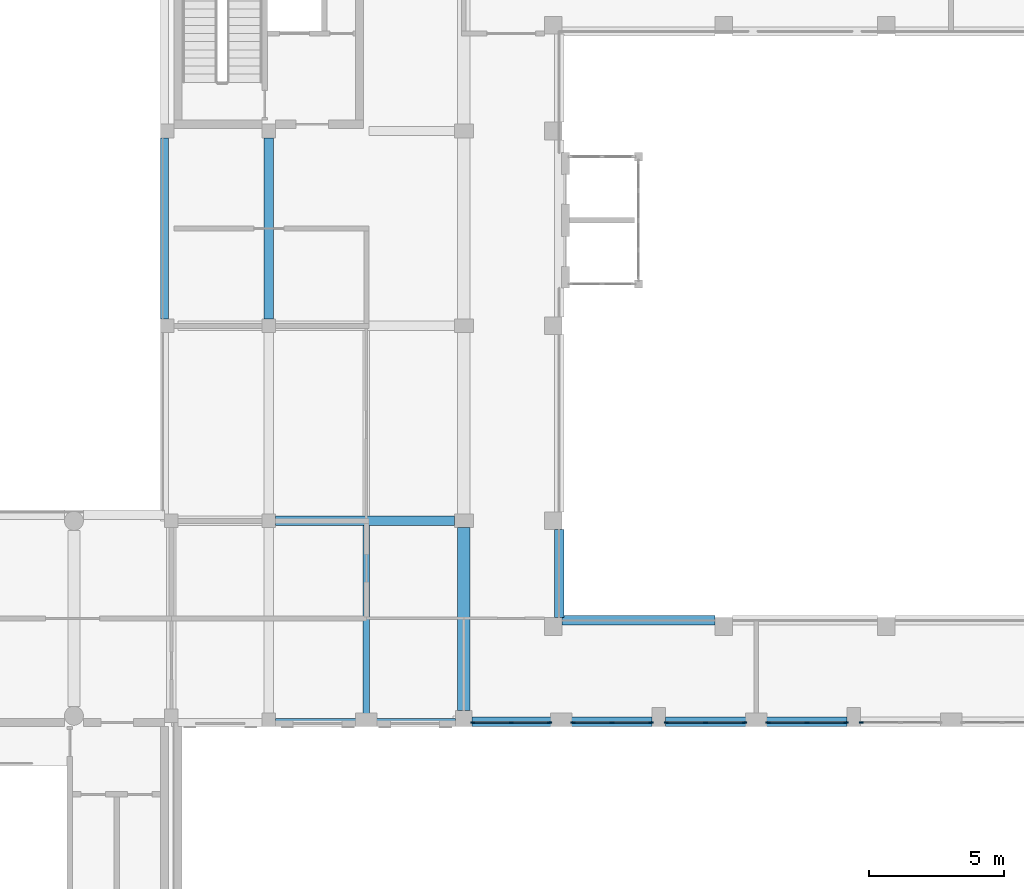
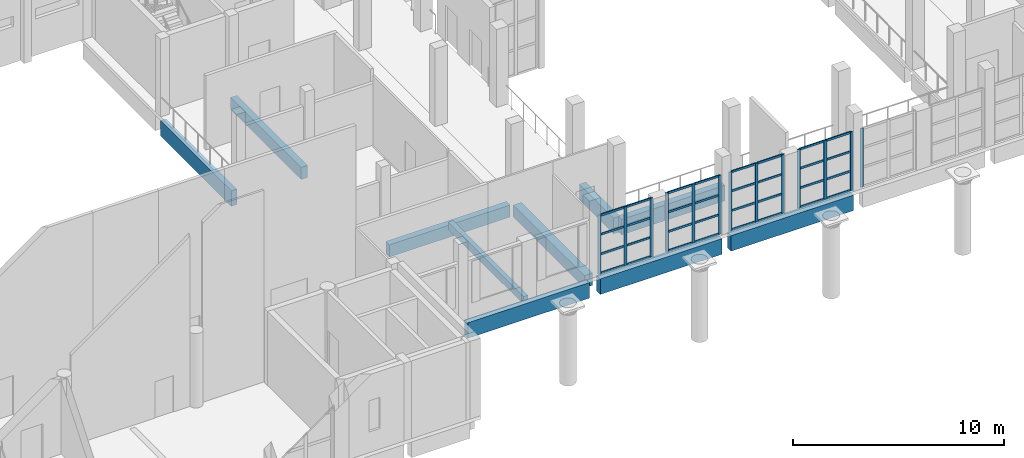
# One storey, part 4 of 59: 45 members, 10 beams, 5 elements without a shape of their own.
"""IFC4 building model written with IfcOpenShell, lengths in metres."""

from ifc_helpers import new_model, si_unit, direction, frame, origin, origin_2d, place, context, subcontext, project, spatial, rectangle, extrude, material, layer, layer_set, material_profile, profile_set, type_object, element, aggregate, save


model = new_model("IFC4")

# Units and contexts
model_context = context("Model", 3, precision=1e-05, world=origin(), true_north=direction((0.0, 1.0)))
body_context = subcontext(model_context, "Body", "Model", "MODEL_VIEW")
ifc_project = project(units=[si_unit("LENGTHUNIT", "METRE"), si_unit("AREAUNIT", "SQUARE_METRE"), si_unit("VOLUMEUNIT", "CUBIC_METRE"), si_unit("PLANEANGLEUNIT", "RADIAN"), si_unit("MASSUNIT", "GRAM", prefix="KILO")], contexts=[model_context])

# Site, building, storey
site_placement = place(None, origin())
site = spatial("IfcSite", under=ifc_project, at=site_placement, CompositionType="ELEMENT")
building_placement = place(site_placement, origin())
building = spatial("IfcBuilding", under=site, at=building_placement, Name="Ussher Court Research Institute", CompositionType="ELEMENT")
storey_placement = place(building_placement, frame((0.0, 0.0, 5.39990234375)))
storey = spatial("IfcBuildingStorey", under=building, at=storey_placement, Name="L01", CompositionType="ELEMENT", Elevation=5.39990234375)

# Curtain wall, member
ifc_material_1 = material(Name="Bronze anodised aluminium with low-e glass", Category="aluminium")
ifc_layer = layer(ifc_material_1, 0.1201171875)
ifc_layer_set = layer_set([ifc_layer], Name="Bronze anodised aluminium with low-e glass")
curtain_wall_type = type_object("IfcCurtainWallType", Name="Curtain wall atrium clear glazing", PredefinedType="NOTDEFINED", material=ifc_layer_set)
curtain_wall_1_placement = place(storey_placement, origin())
curtain_wall_1 = element("IfcCurtainWall", 1, at=curtain_wall_1_placement, inside=storey, type_object=curtain_wall_type, Name="Curtain wall CW2 L01", PredefinedType="NOTDEFINED")
ifc_material_2 = material(Name="Bronze anodised aluminium", Category="aluminium")
ifc_material_profile_1 = material_profile(ifc_material_2, rectangle(XDim=0.06005859375, YDim=0.159912109375, at=origin_2d()), Name="Mullion 60x160")
ifc_profile_set_1 = profile_set([ifc_material_profile_1], Name="Bronze anodised aluminium")
member_type_1 = type_object("IfcMemberType", Name="Mullion 60x160", PredefinedType="MULLION", material=ifc_profile_set_1)
member_1_placement = place(storey_placement, frame((53.679931640625, 10.949951171875, 0.0), z_axis=(0.0, 0.0, 1.0), x_axis=(0.0, -1.0, 0.0)))
member_1 = element("IfcMember", 2, at=member_1_placement, type_object=member_type_1, Name="CW2 mullion 3", PredefinedType="MULLION", context=body_context, shape_type="SweptSolid", body=[
    extrude(rectangle(XDim=0.06005859375, YDim=0.159912109375, at=origin_2d()), origin(), (0.0, 0.0, 1.0), 3.400146484375),
])
aggregate(curtain_wall_1, [member_1])

# Curtain wall, members
curtain_wall_2_placement = place(storey_placement, origin())
curtain_wall_2 = element("IfcCurtainWall", 3, at=curtain_wall_2_placement, inside=storey, type_object=curtain_wall_type, Name="Curtain wall CW2 L01", PredefinedType="NOTDEFINED")
member_2_placement = place(storey_placement, frame((53.1201171875, 10.949951171875, 0.0), z_axis=(0.0, 0.0, 1.0), x_axis=(0.0, -1.0, 0.0)))
member_2 = element("IfcMember", 4, at=member_2_placement, type_object=member_type_1, Name="CW2 mullion 1", PredefinedType="MULLION", context=body_context, shape_type="SweptSolid", body=[
    extrude(rectangle(XDim=0.06005859375, YDim=0.159912109375, at=origin_2d()), origin(), (0.0, 0.0, 1.0), 3.400146484375),
])
member_3_placement = place(storey_placement, frame((51.675048828125, 10.949951171875, 0.0), z_axis=(0.0, 0.0, 1.0), x_axis=(0.0, -1.0, 0.0)))
member_3 = element("IfcMember", 5, at=member_3_placement, type_object=member_type_1, Name="CW2 mullion 2", PredefinedType="MULLION", context=body_context, shape_type="SweptSolid", body=[
    extrude(rectangle(XDim=0.06005859375, YDim=0.159912109375, at=origin_2d()), origin(), (0.0, 0.0, 1.0), 3.400146484375),
])
member_4_placement = place(storey_placement, frame((50.22998046875, 10.949951171875, 0.0), z_axis=(0.0, 0.0, 1.0), x_axis=(0.0, -1.0, 0.0)))
member_4 = element("IfcMember", 6, at=member_4_placement, type_object=member_type_1, Name="CW2 mullion 3", PredefinedType="MULLION", context=body_context, shape_type="SweptSolid", body=[
    extrude(rectangle(XDim=0.06005859375, YDim=0.159912109375, at=origin_2d()), origin(), (0.0, 0.0, 1.0), 3.400146484375),
])

curtain_wall_3_placement = place(storey_placement, origin())
curtain_wall_3 = element("IfcCurtainWall", 7, at=curtain_wall_3_placement, inside=storey, type_object=curtain_wall_type, Name="Curtain wall CW2 L01", PredefinedType="NOTDEFINED")
member_5_placement = place(storey_placement, frame((49.3701171875, 10.949951171875, 0.0), z_axis=(0.0, 0.0, 1.0), x_axis=(0.0, -1.0, 0.0)))
member_5 = element("IfcMember", 8, at=member_5_placement, type_object=member_type_1, Name="CW2 mullion 1", PredefinedType="MULLION", context=body_context, shape_type="SweptSolid", body=[
    extrude(rectangle(XDim=0.06005859375, YDim=0.159912109375, at=origin_2d()), origin(), (0.0, 0.0, 1.0), 3.400146484375),
])
member_6_placement = place(storey_placement, frame((47.925048828125, 10.949951171875, 0.0), z_axis=(0.0, 0.0, 1.0), x_axis=(0.0, -1.0, 0.0)))
member_6 = element("IfcMember", 9, at=member_6_placement, type_object=member_type_1, Name="CW2 mullion 2", PredefinedType="MULLION", context=body_context, shape_type="SweptSolid", body=[
    extrude(rectangle(XDim=0.06005859375, YDim=0.159912109375, at=origin_2d()), origin(), (0.0, 0.0, 1.0), 3.400146484375),
])
member_7_placement = place(storey_placement, frame((46.47998046875, 10.949951171875, 0.0), z_axis=(0.0, 0.0, 1.0), x_axis=(0.0, -1.0, 0.0)))
member_7 = element("IfcMember", 10, at=member_7_placement, type_object=member_type_1, Name="CW2 mullion 3", PredefinedType="MULLION", context=body_context, shape_type="SweptSolid", body=[
    extrude(rectangle(XDim=0.06005859375, YDim=0.159912109375, at=origin_2d()), origin(), (0.0, 0.0, 1.0), 3.400146484375),
])

curtain_wall_4_placement = place(storey_placement, origin())
curtain_wall_4 = element("IfcCurtainWall", 11, at=curtain_wall_4_placement, inside=storey, type_object=curtain_wall_type, Name="Curtain wall CW2 L01", PredefinedType="NOTDEFINED")
member_8_placement = place(storey_placement, frame((45.919921875, 10.949951171875, 0.0), z_axis=(0.0, 0.0, 1.0), x_axis=(0.0, -1.0, 0.0)))
member_8 = element("IfcMember", 12, at=member_8_placement, type_object=member_type_1, Name="CW2 mullion 1", PredefinedType="MULLION", context=body_context, shape_type="SweptSolid", body=[
    extrude(rectangle(XDim=0.06005859375, YDim=0.159912109375, at=origin_2d()), origin(), (0.0, 0.0, 1.0), 3.400146484375),
])
member_9_placement = place(storey_placement, frame((44.47509765625, 10.949951171875, 0.0), z_axis=(0.0, 0.0, 1.0), x_axis=(0.0, -1.0, 0.0)))
member_9 = element("IfcMember", 13, at=member_9_placement, type_object=member_type_1, Name="CW2 mullion 2", PredefinedType="MULLION", context=body_context, shape_type="SweptSolid", body=[
    extrude(rectangle(XDim=0.06005859375, YDim=0.159912109375, at=origin_2d()), origin(), (0.0, 0.0, 1.0), 3.400146484375),
])
member_10_placement = place(storey_placement, frame((43.030029296875, 10.949951171875, 0.0), z_axis=(0.0, 0.0, 1.0), x_axis=(0.0, -1.0, 0.0)))
member_10 = element("IfcMember", 14, at=member_10_placement, type_object=member_type_1, Name="CW2 mullion 3", PredefinedType="MULLION", context=body_context, shape_type="SweptSolid", body=[
    extrude(rectangle(XDim=0.06005859375, YDim=0.159912109375, at=origin_2d()), origin(), (0.0, 0.0, 1.0), 3.400146484375),
])

curtain_wall_5_placement = place(storey_placement, origin())
curtain_wall_5 = element("IfcCurtainWall", 15, at=curtain_wall_5_placement, inside=storey, type_object=curtain_wall_type, Name="Curtain wall CW2 L01", PredefinedType="NOTDEFINED")
member_11_placement = place(storey_placement, frame((42.169921875, 10.949951171875, 0.0), z_axis=(0.0, 0.0, 1.0), x_axis=(0.0, -1.0, 0.0)))
member_11 = element("IfcMember", 16, at=member_11_placement, type_object=member_type_1, Name="CW2 mullion 1", PredefinedType="MULLION", context=body_context, shape_type="SweptSolid", body=[
    extrude(rectangle(XDim=0.06005859375, YDim=0.159912109375, at=origin_2d()), origin(), (0.0, 0.0, 1.0), 3.400146484375),
])
member_12_placement = place(storey_placement, frame((40.75, 10.949951171875, 0.0), z_axis=(0.0, 0.0, 1.0), x_axis=(0.0, -1.0, 0.0)))
member_12 = element("IfcMember", 17, at=member_12_placement, type_object=member_type_1, Name="CW2 mullion 2", PredefinedType="MULLION", context=body_context, shape_type="SweptSolid", body=[
    extrude(rectangle(XDim=0.06005859375, YDim=0.159912109375, at=origin_2d()), origin(), (0.0, 0.0, 1.0), 3.400146484375),
])
member_13_placement = place(storey_placement, frame((39.330078125, 10.949951171875, 0.0), z_axis=(0.0, 0.0, 1.0), x_axis=(0.0, -1.0, 0.0)))
member_13 = element("IfcMember", 18, at=member_13_placement, type_object=member_type_1, Name="CW2 mullion 3", PredefinedType="MULLION", context=body_context, shape_type="SweptSolid", body=[
    extrude(rectangle(XDim=0.06005859375, YDim=0.159912109375, at=origin_2d()), origin(), (0.0, 0.0, 1.0), 3.400146484375),
])

# Beams
ifc_material_3 = material(Name="Concrete C35/45", Category="concrete")
ifc_material_profile_2 = material_profile(ifc_material_3, rectangle(XDim=0.25, YDim=0.449951171875, at=origin_2d()), Name="RC 250x450")
ifc_profile_set_2 = profile_set([ifc_material_profile_2], Name="Concrete C35/45")
beam_type_1 = type_object("IfcBeamType", Name="RC 250x450 beam", PredefinedType="BEAM", material=ifc_profile_set_2)
beam_1_placement = place(storey_placement, frame((35.39990234375, 11.10009765625, -0.224853515625), z_axis=(0.0, 1.0, 0.0), x_axis=(-1.0, 0.0, 0.0)))
element("IfcBeam", 19, at=beam_1_placement, inside=storey, type_object=beam_type_1, Name="B1 V7 L01-01", PredefinedType="BEAM", context=body_context, shape_type="SweptSolid", body=[
    extrude(rectangle(XDim=0.25, YDim=0.449951171875, at=origin_2d()), origin(), (0.0, 0.0, 1.0), 7.125),
])
ifc_material_4 = material(Name="Concrete C35/45", Category="concrete")
ifc_material_profile_3 = material_profile(ifc_material_4, rectangle(XDim=0.300048828125, YDim=0.89990234375, at=origin_2d()), Name="RC 300x900")
ifc_profile_set_3 = profile_set([ifc_material_profile_3], Name="Concrete C35/45")
beam_type_2 = type_object("IfcBeamType", Name="RC 300x900 beam", PredefinedType="BEAM", material=ifc_profile_set_3)
beam_2_placement = place(storey_placement, frame((32.050048828125, 10.949951171875, -0.64990234375), z_axis=(1.0, 0.0, 0.0), x_axis=(0.0, 1.0, 0.0)))
element("IfcBeam", 20, at=beam_2_placement, inside=storey, type_object=beam_type_2, Name="SB2 V7 L01-02", PredefinedType="BEAM", context=body_context, shape_type="SweptSolid", body=[
    extrude(rectangle(XDim=0.300048828125, YDim=0.89990234375, at=origin_2d()), origin(), (0.0, 0.0, 1.0), 6.64990234375),
])
beam_3_placement = place(storey_placement, frame((27.949951171875, 25.85009765625, -0.64990234375), z_axis=(0.0, 1.0, 0.0), x_axis=(-1.0, 0.0, 0.0)))
element("IfcBeam", 21, at=beam_3_placement, inside=storey, type_object=beam_type_2, Name="SB2 V7 L01-12", PredefinedType="BEAM", context=body_context, shape_type="SweptSolid", body=[
    extrude(rectangle(XDim=0.300048828125, YDim=0.89990234375, at=origin_2d()), origin(), (0.0, 0.0, 1.0), 6.699951171875),
])
ifc_material_5 = material(Name="Concrete C35/45", Category="concrete")
ifc_material_profile_4 = material_profile(ifc_material_5, rectangle(XDim=0.35009765625, YDim=0.699951171875, at=origin_2d()), Name="RC 350x700")
ifc_profile_set_4 = profile_set([ifc_material_profile_4], Name="Concrete C35/45")
beam_type_3 = type_object("IfcBeamType", Name="RC 350x700 beam", PredefinedType="BEAM", material=ifc_profile_set_4)
beam_4_placement = place(storey_placement, frame((32.050048828125, 18.39990234375, -0.5498046875), z_axis=(1.0, 0.0, 0.0), x_axis=(0.0, 1.0, 0.0)))
element("IfcBeam", 22, at=beam_4_placement, inside=storey, type_object=beam_type_3, Name="B16 V7 L01-02", PredefinedType="BEAM", context=body_context, shape_type="SweptSolid", body=[
    extrude(rectangle(XDim=0.35009765625, YDim=0.699951171875, at=origin_2d()), origin(), (0.0, 0.0, 1.0), 6.599853515625),
])
beam_5_placement = place(storey_placement, frame((31.800048828125, 25.85009765625, -0.5498046875), z_axis=(0.0, 1.0, 0.0), x_axis=(-1.0, 0.0, 0.0)))
element("IfcBeam", 23, at=beam_5_placement, inside=storey, type_object=beam_type_3, Name="B16 V7 L01-17", PredefinedType="BEAM", context=body_context, shape_type="SweptSolid", body=[
    extrude(rectangle(XDim=0.35009765625, YDim=0.699951171875, at=origin_2d()), origin(), (0.0, 0.0, 1.0), 6.699951171875),
])
ifc_material_6 = material(Name="Concrete C35/45", Category="concrete")
ifc_material_profile_5 = material_profile(ifc_material_6, rectangle(XDim=0.35009765625, YDim=0.89990234375, at=origin_2d()), Name="RC 350x900")
ifc_profile_set_5 = profile_set([ifc_material_profile_5], Name="Concrete C35/45")
beam_type_4 = type_object("IfcBeamType", Name="RC 350x900 beam", PredefinedType="BEAM", material=ifc_profile_set_5)
beam_6_placement = place(storey_placement, frame((39.300048828125, 10.97509765625, -0.64990234375), z_axis=(1.0, 0.0, 0.0), x_axis=(0.0, 1.0, 0.0)))
element("IfcBeam", 24, at=beam_6_placement, inside=storey, type_object=beam_type_4, Name="SB1 V2 L01-01", PredefinedType="BEAM", context=body_context, shape_type="SweptSolid", body=[
    extrude(rectangle(XDim=0.35009765625, YDim=0.89990234375, at=origin_2d()), origin(), (0.0, 0.0, 1.0), 6.64990234375),
])
beam_7_placement = place(storey_placement, frame((46.449951171875, 10.97509765625, -0.64990234375), z_axis=(1.0, 0.0, 0.0), x_axis=(0.0, 1.0, 0.0)))
element("IfcBeam", 25, at=beam_7_placement, inside=storey, type_object=beam_type_4, Name="SB1 V2 L01-02", PredefinedType="BEAM", context=body_context, shape_type="SweptSolid", body=[
    extrude(rectangle(XDim=0.35009765625, YDim=0.89990234375, at=origin_2d()), origin(), (0.0, 0.0, 1.0), 6.699951171875),
])
beam_8_placement = place(storey_placement, frame((42.52490234375, 14.824951171875, -0.64990234375), z_axis=(0.0, 1.0, 0.0), x_axis=(-1.0, 0.0, 0.0)))
element("IfcBeam", 26, at=beam_8_placement, inside=storey, type_object=beam_type_4, Name="SB1 V2 L01-09", PredefinedType="BEAM", context=body_context, shape_type="SweptSolid", body=[
    extrude(rectangle(XDim=0.35009765625, YDim=0.89990234375, at=origin_2d()), origin(), (0.0, 0.0, 1.0), 3.25),
])
beam_9_placement = place(storey_placement, frame((42.625, 14.72509765625, -0.64990234375), z_axis=(1.0, 0.0, 0.0), x_axis=(0.0, 1.0, 0.0)))
element("IfcBeam", 27, at=beam_9_placement, inside=storey, type_object=beam_type_4, Name="SB1 V2 L01-17", PredefinedType="BEAM", context=body_context, shape_type="SweptSolid", body=[
    extrude(rectangle(XDim=0.35009765625, YDim=0.89990234375, at=origin_2d()), origin(), (0.0, 0.0, 1.0), 5.64990234375),
])
ifc_material_7 = material(Name="Concrete C35/45", Category="concrete")
ifc_material_profile_6 = material_profile(ifc_material_7, rectangle(XDim=0.449951171875, YDim=0.699951171875, at=origin_2d()), Name="RC 450x700")
ifc_profile_set_6 = profile_set([ifc_material_profile_6], Name="Concrete C35/45")
beam_type_5 = type_object("IfcBeamType", Name="RC 450x700 beam", PredefinedType="BEAM", material=ifc_profile_set_6)
beam_10_placement = place(storey_placement, frame((39.0, 11.39990234375, -0.5498046875), z_axis=(0.0, 1.0, 0.0), x_axis=(-1.0, 0.0, 0.0)))
element("IfcBeam", 28, at=beam_10_placement, inside=storey, type_object=beam_type_5, Name="B10 V2 L01-01", PredefinedType="BEAM", context=body_context, shape_type="SweptSolid", body=[
    extrude(rectangle(XDim=0.449951171875, YDim=0.699951171875, at=origin_2d()), origin(), (0.0, 0.0, 1.0), 6.75),
])

# Member
ifc_material_8 = material(Name="Bronze anodised aluminium", Category="aluminium")
ifc_material_profile_7 = material_profile(ifc_material_8, rectangle(XDim=0.06005859375, YDim=0.1201171875, at=origin_2d()), Name="Transom 60x120")
ifc_profile_set_7 = profile_set([ifc_material_profile_7], Name="Bronze anodised aluminium")
member_type_2 = type_object("IfcMemberType", Name="Transom 60x120", PredefinedType="USERDEFINED", material=ifc_profile_set_7)
member_14_placement = place(storey_placement, frame((53.090087890625, 10.949951171875, 0.030029296875), z_axis=(-1.0, 0.0, 0.0), x_axis=(0.0, -1.0, 0.0)))
member_14 = element("IfcMember", 29, at=member_14_placement, type_object=member_type_2, Name="CW2 transom 1.1", ObjectType="TRANSOM", PredefinedType="USERDEFINED", context=body_context, shape_type="SweptSolid", body=[
    extrude(rectangle(XDim=0.06005859375, YDim=0.1201171875, at=origin_2d()), origin(), (0.0, 0.0, 1.0), 1.385009765625),
])

member_15_placement = place(storey_placement, frame((53.090087890625, 10.949951171875, 1.13330078125), z_axis=(-1.0, 0.0, 0.0), x_axis=(0.0, -1.0, 0.0)))
member_15 = element("IfcMember", 30, at=member_15_placement, type_object=member_type_2, Name="CW2 transom 1.2", ObjectType="TRANSOM", PredefinedType="USERDEFINED", context=body_context, shape_type="SweptSolid", body=[
    extrude(rectangle(XDim=0.06005859375, YDim=0.1201171875, at=origin_2d()), origin(), (0.0, 0.0, 1.0), 1.385009765625),
])

member_16_placement = place(storey_placement, frame((53.090087890625, 10.949951171875, 2.266845703125), z_axis=(-1.0, 0.0, 0.0), x_axis=(0.0, -1.0, 0.0)))
member_16 = element("IfcMember", 31, at=member_16_placement, type_object=member_type_2, Name="CW2 transom 1.3", ObjectType="TRANSOM", PredefinedType="USERDEFINED", context=body_context, shape_type="SweptSolid", body=[
    extrude(rectangle(XDim=0.06005859375, YDim=0.1201171875, at=origin_2d()), origin(), (0.0, 0.0, 1.0), 1.385009765625),
])

member_17_placement = place(storey_placement, frame((53.090087890625, 10.949951171875, 3.3701171875), z_axis=(-1.0, 0.0, 0.0), x_axis=(0.0, -1.0, 0.0)))
member_17 = element("IfcMember", 32, at=member_17_placement, type_object=member_type_2, Name="CW2 transom 1.4", ObjectType="TRANSOM", PredefinedType="USERDEFINED", context=body_context, shape_type="SweptSolid", body=[
    extrude(rectangle(XDim=0.06005859375, YDim=0.1201171875, at=origin_2d()), origin(), (0.0, 0.0, 1.0), 1.385009765625),
])

member_18_placement = place(storey_placement, frame((51.64501953125, 10.949951171875, 0.030029296875), z_axis=(-1.0, 0.0, 0.0), x_axis=(0.0, -1.0, 0.0)))
member_18 = element("IfcMember", 33, at=member_18_placement, type_object=member_type_2, Name="CW2 transom 2.1", ObjectType="TRANSOM", PredefinedType="USERDEFINED", context=body_context, shape_type="SweptSolid", body=[
    extrude(rectangle(XDim=0.06005859375, YDim=0.1201171875, at=origin_2d()), origin(), (0.0, 0.0, 1.0), 1.385009765625),
])

member_19_placement = place(storey_placement, frame((51.64501953125, 10.949951171875, 1.13330078125), z_axis=(-1.0, 0.0, 0.0), x_axis=(0.0, -1.0, 0.0)))
member_19 = element("IfcMember", 34, at=member_19_placement, type_object=member_type_2, Name="CW2 transom 2.2", ObjectType="TRANSOM", PredefinedType="USERDEFINED", context=body_context, shape_type="SweptSolid", body=[
    extrude(rectangle(XDim=0.06005859375, YDim=0.1201171875, at=origin_2d()), origin(), (0.0, 0.0, 1.0), 1.385009765625),
])

member_20_placement = place(storey_placement, frame((51.64501953125, 10.949951171875, 2.266845703125), z_axis=(-1.0, 0.0, 0.0), x_axis=(0.0, -1.0, 0.0)))
member_20 = element("IfcMember", 35, at=member_20_placement, type_object=member_type_2, Name="CW2 transom 2.3", ObjectType="TRANSOM", PredefinedType="USERDEFINED", context=body_context, shape_type="SweptSolid", body=[
    extrude(rectangle(XDim=0.06005859375, YDim=0.1201171875, at=origin_2d()), origin(), (0.0, 0.0, 1.0), 1.385009765625),
])

member_21_placement = place(storey_placement, frame((51.64501953125, 10.949951171875, 3.3701171875), z_axis=(-1.0, 0.0, 0.0), x_axis=(0.0, -1.0, 0.0)))
member_21 = element("IfcMember", 36, at=member_21_placement, type_object=member_type_2, Name="CW2 transom 2.4", ObjectType="TRANSOM", PredefinedType="USERDEFINED", context=body_context, shape_type="SweptSolid", body=[
    extrude(rectangle(XDim=0.06005859375, YDim=0.1201171875, at=origin_2d()), origin(), (0.0, 0.0, 1.0), 1.385009765625),
])

aggregate(curtain_wall_2, [member_2, member_3, member_4, member_14, member_15, member_16, member_17, member_18, member_19, member_20, member_21])

member_22_placement = place(storey_placement, frame((49.340087890625, 10.949951171875, 0.030029296875), z_axis=(-1.0, 0.0, 0.0), x_axis=(0.0, -1.0, 0.0)))
member_22 = element("IfcMember", 37, at=member_22_placement, type_object=member_type_2, Name="CW2 transom 1.1", ObjectType="TRANSOM", PredefinedType="USERDEFINED", context=body_context, shape_type="SweptSolid", body=[
    extrude(rectangle(XDim=0.06005859375, YDim=0.1201171875, at=origin_2d()), origin(), (0.0, 0.0, 1.0), 1.385009765625),
])

member_23_placement = place(storey_placement, frame((49.340087890625, 10.949951171875, 1.13330078125), z_axis=(-1.0, 0.0, 0.0), x_axis=(0.0, -1.0, 0.0)))
member_23 = element("IfcMember", 38, at=member_23_placement, type_object=member_type_2, Name="CW2 transom 1.2", ObjectType="TRANSOM", PredefinedType="USERDEFINED", context=body_context, shape_type="SweptSolid", body=[
    extrude(rectangle(XDim=0.06005859375, YDim=0.1201171875, at=origin_2d()), origin(), (0.0, 0.0, 1.0), 1.385009765625),
])

member_24_placement = place(storey_placement, frame((49.340087890625, 10.949951171875, 2.266845703125), z_axis=(-1.0, 0.0, 0.0), x_axis=(0.0, -1.0, 0.0)))
member_24 = element("IfcMember", 39, at=member_24_placement, type_object=member_type_2, Name="CW2 transom 1.3", ObjectType="TRANSOM", PredefinedType="USERDEFINED", context=body_context, shape_type="SweptSolid", body=[
    extrude(rectangle(XDim=0.06005859375, YDim=0.1201171875, at=origin_2d()), origin(), (0.0, 0.0, 1.0), 1.385009765625),
])

member_25_placement = place(storey_placement, frame((49.340087890625, 10.949951171875, 3.3701171875), z_axis=(-1.0, 0.0, 0.0), x_axis=(0.0, -1.0, 0.0)))
member_25 = element("IfcMember", 40, at=member_25_placement, type_object=member_type_2, Name="CW2 transom 1.4", ObjectType="TRANSOM", PredefinedType="USERDEFINED", context=body_context, shape_type="SweptSolid", body=[
    extrude(rectangle(XDim=0.06005859375, YDim=0.1201171875, at=origin_2d()), origin(), (0.0, 0.0, 1.0), 1.385009765625),
])

member_26_placement = place(storey_placement, frame((47.89501953125, 10.949951171875, 0.030029296875), z_axis=(-1.0, 0.0, 0.0), x_axis=(0.0, -1.0, 0.0)))
member_26 = element("IfcMember", 41, at=member_26_placement, type_object=member_type_2, Name="CW2 transom 2.1", ObjectType="TRANSOM", PredefinedType="USERDEFINED", context=body_context, shape_type="SweptSolid", body=[
    extrude(rectangle(XDim=0.06005859375, YDim=0.1201171875, at=origin_2d()), origin(), (0.0, 0.0, 1.0), 1.385009765625),
])

member_27_placement = place(storey_placement, frame((47.89501953125, 10.949951171875, 1.13330078125), z_axis=(-1.0, 0.0, 0.0), x_axis=(0.0, -1.0, 0.0)))
member_27 = element("IfcMember", 42, at=member_27_placement, type_object=member_type_2, Name="CW2 transom 2.2", ObjectType="TRANSOM", PredefinedType="USERDEFINED", context=body_context, shape_type="SweptSolid", body=[
    extrude(rectangle(XDim=0.06005859375, YDim=0.1201171875, at=origin_2d()), origin(), (0.0, 0.0, 1.0), 1.385009765625),
])

member_28_placement = place(storey_placement, frame((47.89501953125, 10.949951171875, 2.266845703125), z_axis=(-1.0, 0.0, 0.0), x_axis=(0.0, -1.0, 0.0)))
member_28 = element("IfcMember", 43, at=member_28_placement, type_object=member_type_2, Name="CW2 transom 2.3", ObjectType="TRANSOM", PredefinedType="USERDEFINED", context=body_context, shape_type="SweptSolid", body=[
    extrude(rectangle(XDim=0.06005859375, YDim=0.1201171875, at=origin_2d()), origin(), (0.0, 0.0, 1.0), 1.385009765625),
])

member_29_placement = place(storey_placement, frame((47.89501953125, 10.949951171875, 3.3701171875), z_axis=(-1.0, 0.0, 0.0), x_axis=(0.0, -1.0, 0.0)))
member_29 = element("IfcMember", 44, at=member_29_placement, type_object=member_type_2, Name="CW2 transom 2.4", ObjectType="TRANSOM", PredefinedType="USERDEFINED", context=body_context, shape_type="SweptSolid", body=[
    extrude(rectangle(XDim=0.06005859375, YDim=0.1201171875, at=origin_2d()), origin(), (0.0, 0.0, 1.0), 1.385009765625),
])

aggregate(curtain_wall_3, [member_5, member_6, member_7, member_22, member_23, member_24, member_25, member_26, member_27, member_28, member_29])

member_30_placement = place(storey_placement, frame((45.889892578125, 10.949951171875, 0.030029296875), z_axis=(-1.0, 0.0, 0.0), x_axis=(0.0, -1.0, 0.0)))
member_30 = element("IfcMember", 45, at=member_30_placement, type_object=member_type_2, Name="CW2 transom 1.1", ObjectType="TRANSOM", PredefinedType="USERDEFINED", context=body_context, shape_type="SweptSolid", body=[
    extrude(rectangle(XDim=0.06005859375, YDim=0.1201171875, at=origin_2d()), origin(), (0.0, 0.0, 1.0), 1.385009765625),
])

member_31_placement = place(storey_placement, frame((45.889892578125, 10.949951171875, 1.13330078125), z_axis=(-1.0, 0.0, 0.0), x_axis=(0.0, -1.0, 0.0)))
member_31 = element("IfcMember", 46, at=member_31_placement, type_object=member_type_2, Name="CW2 transom 1.2", ObjectType="TRANSOM", PredefinedType="USERDEFINED", context=body_context, shape_type="SweptSolid", body=[
    extrude(rectangle(XDim=0.06005859375, YDim=0.1201171875, at=origin_2d()), origin(), (0.0, 0.0, 1.0), 1.385009765625),
])

member_32_placement = place(storey_placement, frame((45.889892578125, 10.949951171875, 2.266845703125), z_axis=(-1.0, 0.0, 0.0), x_axis=(0.0, -1.0, 0.0)))
member_32 = element("IfcMember", 47, at=member_32_placement, type_object=member_type_2, Name="CW2 transom 1.3", ObjectType="TRANSOM", PredefinedType="USERDEFINED", context=body_context, shape_type="SweptSolid", body=[
    extrude(rectangle(XDim=0.06005859375, YDim=0.1201171875, at=origin_2d()), origin(), (0.0, 0.0, 1.0), 1.385009765625),
])

member_33_placement = place(storey_placement, frame((45.889892578125, 10.949951171875, 3.3701171875), z_axis=(-1.0, 0.0, 0.0), x_axis=(0.0, -1.0, 0.0)))
member_33 = element("IfcMember", 48, at=member_33_placement, type_object=member_type_2, Name="CW2 transom 1.4", ObjectType="TRANSOM", PredefinedType="USERDEFINED", context=body_context, shape_type="SweptSolid", body=[
    extrude(rectangle(XDim=0.06005859375, YDim=0.1201171875, at=origin_2d()), origin(), (0.0, 0.0, 1.0), 1.385009765625),
])

member_34_placement = place(storey_placement, frame((44.445068359375, 10.949951171875, 0.030029296875), z_axis=(-1.0, 0.0, 0.0), x_axis=(0.0, -1.0, 0.0)))
member_34 = element("IfcMember", 49, at=member_34_placement, type_object=member_type_2, Name="CW2 transom 2.1", ObjectType="TRANSOM", PredefinedType="USERDEFINED", context=body_context, shape_type="SweptSolid", body=[
    extrude(rectangle(XDim=0.06005859375, YDim=0.1201171875, at=origin_2d()), origin(), (0.0, 0.0, 1.0), 1.385009765625),
])

member_35_placement = place(storey_placement, frame((44.445068359375, 10.949951171875, 1.13330078125), z_axis=(-1.0, 0.0, 0.0), x_axis=(0.0, -1.0, 0.0)))
member_35 = element("IfcMember", 50, at=member_35_placement, type_object=member_type_2, Name="CW2 transom 2.2", ObjectType="TRANSOM", PredefinedType="USERDEFINED", context=body_context, shape_type="SweptSolid", body=[
    extrude(rectangle(XDim=0.06005859375, YDim=0.1201171875, at=origin_2d()), origin(), (0.0, 0.0, 1.0), 1.385009765625),
])

member_36_placement = place(storey_placement, frame((44.445068359375, 10.949951171875, 2.266845703125), z_axis=(-1.0, 0.0, 0.0), x_axis=(0.0, -1.0, 0.0)))
member_36 = element("IfcMember", 51, at=member_36_placement, type_object=member_type_2, Name="CW2 transom 2.3", ObjectType="TRANSOM", PredefinedType="USERDEFINED", context=body_context, shape_type="SweptSolid", body=[
    extrude(rectangle(XDim=0.06005859375, YDim=0.1201171875, at=origin_2d()), origin(), (0.0, 0.0, 1.0), 1.385009765625),
])

member_37_placement = place(storey_placement, frame((44.445068359375, 10.949951171875, 3.3701171875), z_axis=(-1.0, 0.0, 0.0), x_axis=(0.0, -1.0, 0.0)))
member_37 = element("IfcMember", 52, at=member_37_placement, type_object=member_type_2, Name="CW2 transom 2.4", ObjectType="TRANSOM", PredefinedType="USERDEFINED", context=body_context, shape_type="SweptSolid", body=[
    extrude(rectangle(XDim=0.06005859375, YDim=0.1201171875, at=origin_2d()), origin(), (0.0, 0.0, 1.0), 1.385009765625),
])

aggregate(curtain_wall_4, [member_8, member_9, member_10, member_30, member_31, member_32, member_33, member_34, member_35, member_36, member_37])

member_38_placement = place(storey_placement, frame((42.139892578125, 10.949951171875, 0.030029296875), z_axis=(-1.0, 0.0, 0.0), x_axis=(0.0, -1.0, 0.0)))
member_38 = element("IfcMember", 53, at=member_38_placement, type_object=member_type_2, Name="CW2 transom 1.1", ObjectType="TRANSOM", PredefinedType="USERDEFINED", context=body_context, shape_type="SweptSolid", body=[
    extrude(rectangle(XDim=0.06005859375, YDim=0.1201171875, at=origin_2d()), origin(), (0.0, 0.0, 1.0), 1.35986328125),
])

member_39_placement = place(storey_placement, frame((42.139892578125, 10.949951171875, 1.13330078125), z_axis=(-1.0, 0.0, 0.0), x_axis=(0.0, -1.0, 0.0)))
member_39 = element("IfcMember", 54, at=member_39_placement, type_object=member_type_2, Name="CW2 transom 1.2", ObjectType="TRANSOM", PredefinedType="USERDEFINED", context=body_context, shape_type="SweptSolid", body=[
    extrude(rectangle(XDim=0.06005859375, YDim=0.1201171875, at=origin_2d()), origin(), (0.0, 0.0, 1.0), 1.35986328125),
])

member_40_placement = place(storey_placement, frame((42.139892578125, 10.949951171875, 2.266845703125), z_axis=(-1.0, 0.0, 0.0), x_axis=(0.0, -1.0, 0.0)))
member_40 = element("IfcMember", 55, at=member_40_placement, type_object=member_type_2, Name="CW2 transom 1.3", ObjectType="TRANSOM", PredefinedType="USERDEFINED", context=body_context, shape_type="SweptSolid", body=[
    extrude(rectangle(XDim=0.06005859375, YDim=0.1201171875, at=origin_2d()), origin(), (0.0, 0.0, 1.0), 1.35986328125),
])

member_41_placement = place(storey_placement, frame((42.139892578125, 10.949951171875, 3.3701171875), z_axis=(-1.0, 0.0, 0.0), x_axis=(0.0, -1.0, 0.0)))
member_41 = element("IfcMember", 56, at=member_41_placement, type_object=member_type_2, Name="CW2 transom 1.4", ObjectType="TRANSOM", PredefinedType="USERDEFINED", context=body_context, shape_type="SweptSolid", body=[
    extrude(rectangle(XDim=0.06005859375, YDim=0.1201171875, at=origin_2d()), origin(), (0.0, 0.0, 1.0), 1.35986328125),
])

member_42_placement = place(storey_placement, frame((40.719970703125, 10.949951171875, 0.030029296875), z_axis=(-1.0, 0.0, 0.0), x_axis=(0.0, -1.0, 0.0)))
member_42 = element("IfcMember", 57, at=member_42_placement, type_object=member_type_2, Name="CW2 transom 2.1", ObjectType="TRANSOM", PredefinedType="USERDEFINED", context=body_context, shape_type="SweptSolid", body=[
    extrude(rectangle(XDim=0.06005859375, YDim=0.1201171875, at=origin_2d()), origin(), (0.0, 0.0, 1.0), 1.35986328125),
])

member_43_placement = place(storey_placement, frame((40.719970703125, 10.949951171875, 1.13330078125), z_axis=(-1.0, 0.0, 0.0), x_axis=(0.0, -1.0, 0.0)))
member_43 = element("IfcMember", 58, at=member_43_placement, type_object=member_type_2, Name="CW2 transom 2.2", ObjectType="TRANSOM", PredefinedType="USERDEFINED", context=body_context, shape_type="SweptSolid", body=[
    extrude(rectangle(XDim=0.06005859375, YDim=0.1201171875, at=origin_2d()), origin(), (0.0, 0.0, 1.0), 1.35986328125),
])

member_44_placement = place(storey_placement, frame((40.719970703125, 10.949951171875, 2.266845703125), z_axis=(-1.0, 0.0, 0.0), x_axis=(0.0, -1.0, 0.0)))
member_44 = element("IfcMember", 59, at=member_44_placement, type_object=member_type_2, Name="CW2 transom 2.3", ObjectType="TRANSOM", PredefinedType="USERDEFINED", context=body_context, shape_type="SweptSolid", body=[
    extrude(rectangle(XDim=0.06005859375, YDim=0.1201171875, at=origin_2d()), origin(), (0.0, 0.0, 1.0), 1.35986328125),
])

member_45_placement = place(storey_placement, frame((40.719970703125, 10.949951171875, 3.3701171875), z_axis=(-1.0, 0.0, 0.0), x_axis=(0.0, -1.0, 0.0)))
member_45 = element("IfcMember", 60, at=member_45_placement, type_object=member_type_2, Name="CW2 transom 2.4", ObjectType="TRANSOM", PredefinedType="USERDEFINED", context=body_context, shape_type="SweptSolid", body=[
    extrude(rectangle(XDim=0.06005859375, YDim=0.1201171875, at=origin_2d()), origin(), (0.0, 0.0, 1.0), 1.35986328125),
])

aggregate(curtain_wall_5, [member_11, member_12, member_13, member_38, member_39, member_40, member_41, member_42, member_43, member_44, member_45])

save(model, "model.ifc")
